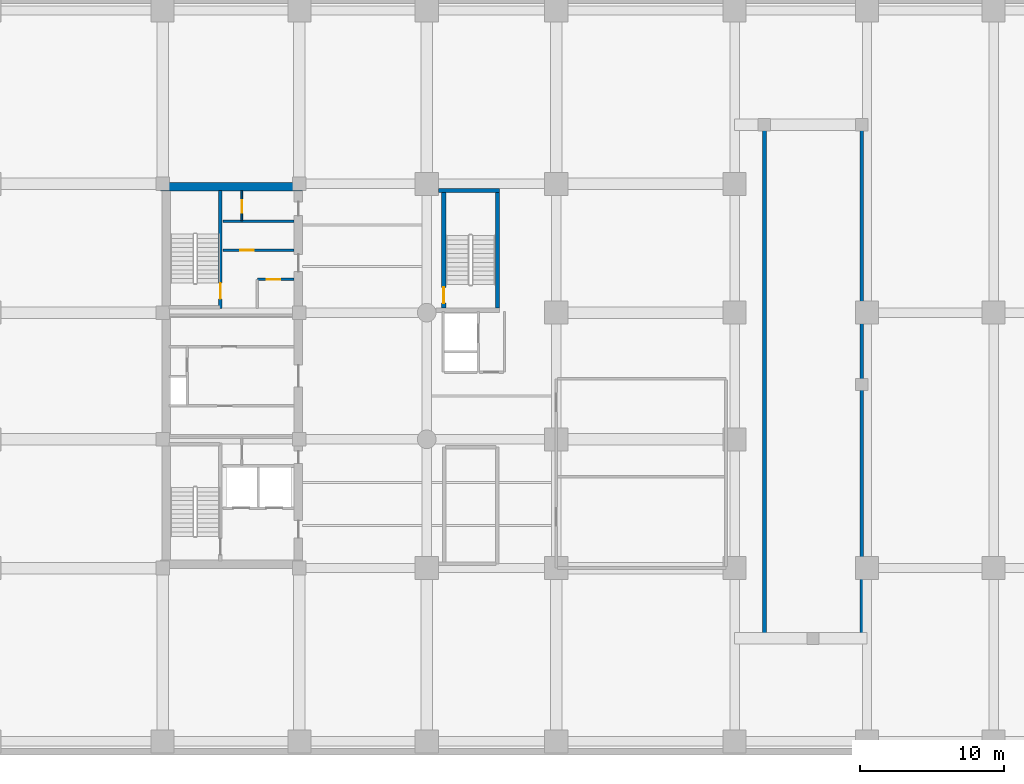
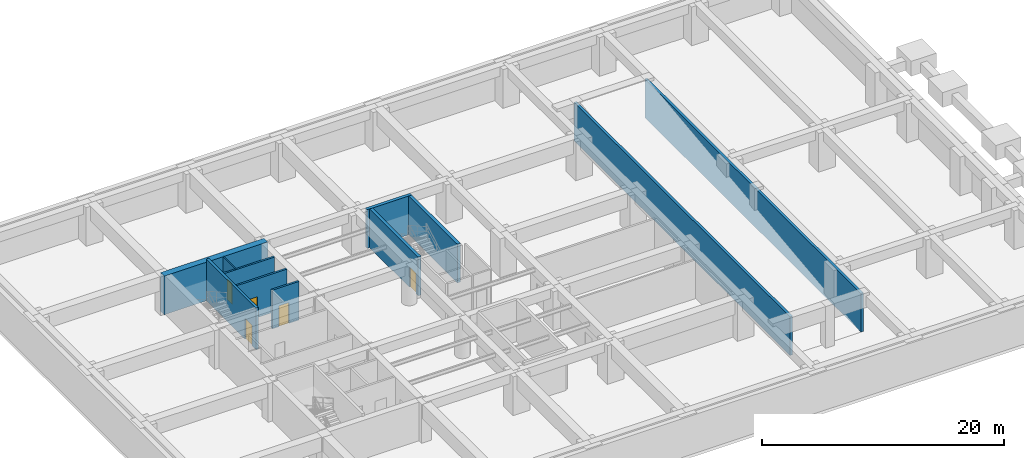
# One storey, part 5 of 7: 11 walls, 5 doors, 5 openings.
"""IFC4 building model written with IfcOpenShell, lengths in metres."""

from ifc_helpers import new_model, si_unit, direction, frame, frame_2d, origin, place, context, subcontext, project, spatial, rectangle, extrude, material, layer, layer_set, type_object, element, fill, save


model = new_model("IFC4")

# Units and contexts
model_context = context("Model", 3, precision=1e-05, world=origin(), true_north=direction((0.0, 1.0)))
body_context = subcontext(model_context, "Body", "Model", "MODEL_VIEW")
ifc_project = project(units=[si_unit("LENGTHUNIT", "METRE"), si_unit("AREAUNIT", "SQUARE_METRE"), si_unit("VOLUMEUNIT", "CUBIC_METRE"), si_unit("PLANEANGLEUNIT", "RADIAN"), si_unit("MASSUNIT", "GRAM", prefix="KILO")], contexts=[model_context])

# Site, building, storey
site_placement = place(None, origin())
site = spatial("IfcSite", under=ifc_project, at=site_placement, CompositionType="ELEMENT")
building_placement = place(site_placement, origin())
building = spatial("IfcBuilding", under=site, at=building_placement, Name="Kundavana Baori Tower", CompositionType="ELEMENT")
storey_placement = place(building_placement, frame((0.0, 0.0, -4.199951171875)))
storey = spatial("IfcBuildingStorey", under=building, at=storey_placement, Name="B01", CompositionType="ELEMENT", Elevation=-4.199951171875)

# Wall, opening, door
ifc_material_1 = material(Name="Concrete C50/60", Category="concrete")
ifc_layer_1 = layer(ifc_material_1, 0.39990234375, Name="WL-CORE-400")
ifc_layer_set_1 = layer_set([ifc_layer_1], Name="Concrete C50/60")
wall_type_1 = type_object("IfcWallType", Name="WL-CORE-400", PredefinedType="SHEAR", material=ifc_layer_set_1)
wall_1_placement = place(storey_placement, frame((19.4599609375, 33.300048828125, 0.0), z_axis=(0.0, 0.0, 1.0), x_axis=(0.0, 1.0, 0.0)))
wall_1 = element("IfcWall", 1, at=wall_1_placement, inside=storey, type_object=wall_type_1, Name="WL-B01-ST2-E", PredefinedType="SHEAR", context=body_context, shape_type="SweptSolid", body=[
    extrude(rectangle(XDim=8.179931640625, YDim=0.239990234375, at=frame_2d((4.08984375, 0.0))), origin(), (0.0, 0.0, 1.0), 4.199951171875),
])
opening_1_placement = place(wall_1_placement, frame((0.64990234375, 0.0, 0.0)))
opening_1 = element("IfcOpeningElement", 2, at=opening_1_placement, cuts=wall_1, Name="Opening FD-110", PredefinedType="OPENING", context=body_context, shape_type="SweptSolid", body=[
    extrude(rectangle(XDim=1.10009765625, YDim=2.10009765625, at=frame_2d((0.550048828125, 1.050048828125))), frame((0.0, 0.1298828125, 0.0), z_axis=(0.0, -1.0, 0.0), x_axis=(1.0, 0.0, 0.0)), (0.0, 0.0, 1.0), 0.260009765625),
])
ifc_material_2 = material(Name="Galvanised Steel Fire-Rated Door Leaf", Category="steel")
door_type_1 = type_object("IfcDoorType", Name="DR-FD120-1100", OperationType="NOTDEFINED", PredefinedType="DOOR", material=ifc_material_2)
door_1_placement = place(opening_1_placement, origin())
door_1 = element("IfcDoor", 3, at=door_1_placement, inside=storey, type_object=door_type_1, Name="DR-B01-ST2", OperationType="SINGLE_SWING_RIGHT", OverallHeight=2.10009765625, OverallWidth=1.10009765625, PredefinedType="DOOR", context=body_context, shape_type="SweptSolid", body=[
    extrude(rectangle(XDim=1.10009765625, YDim=2.10009765625, at=frame_2d((0.550048828125, 1.050048828125))), frame((0.0, 0.02490234375, 0.0), z_axis=(0.0, -1.0, 0.0), x_axis=(1.0, 0.0, 0.0)), (0.0, 0.0, 1.0), 0.050048828125),
])
fill(opening_1, door_1)

# Wall
ifc_material_3 = material(Name="Concrete C60/75", Category="concrete")
ifc_layer_2 = layer(ifc_material_3, 0.60009765625, Name="WL-CORE-600")
ifc_layer_set_2 = layer_set([ifc_layer_2], Name="Concrete C60/75")
wall_type_2 = type_object("IfcWallType", Name="WL-CORE-600", PredefinedType="SHEAR", material=ifc_layer_set_2)
wall_2_placement = place(storey_placement, frame((15.300048828125, 41.739990234375, 0.0), z_axis=(0.0, 0.0, 1.0), x_axis=(1.0, 0.0, 0.0)))
element("IfcWall", 4, at=wall_2_placement, inside=storey, type_object=wall_type_2, Name="B01 Offset Core North Shear Wall", PredefinedType="SHEAR", context=body_context, shape_type="SweptSolid", body=[
    extrude(rectangle(XDim=9.8798828125, YDim=0.60009765625, at=frame_2d((4.93994140625, 0.0))), origin(), (0.0, 0.0, 1.0), 3.89990234375),
])

# Wall, opening, door
ifc_material_4 = material(Name="Acoustic Gypsum Plasterboard on Galvanised Steel Studs", Category="steel")
ifc_layer_3 = layer(ifc_material_4, 0.1201171875, Name="WL-PART-120")
ifc_layer_set_3 = layer_set([ifc_layer_3], Name="Acoustic Gypsum Plasterboard on Galvanised Steel Studs")
wall_type_3 = type_object("IfcWallType", Name="WL-PART-120", PredefinedType="PARTITIONING", material=ifc_layer_set_3)
wall_3_placement = place(storey_placement, frame((20.949951171875, 39.39990234375, 0.0), z_axis=(0.0, 0.0, 1.0), x_axis=(0.0, 1.0, 0.0)))
wall_3 = element("IfcWall", 5, at=wall_3_placement, inside=storey, type_object=wall_type_3, Name="WL-B01-CSRV-D2", PredefinedType="PARTITIONING", context=body_context, shape_type="SweptSolid", body=[
    extrude(rectangle(XDim=2.080078125, YDim=0.1201171875, at=frame_2d((1.0400390625, 0.0))), origin(), (0.0, 0.0, 1.0), 3.89990234375),
])
opening_2_placement = place(wall_3_placement, frame((0.550048828125, 0.0, 0.0)))
opening_2 = element("IfcOpeningElement", 6, at=opening_2_placement, cuts=wall_3, Name="Opening FD-085", PredefinedType="OPENING", context=body_context, shape_type="SweptSolid", body=[
    extrude(rectangle(XDim=0.85009765625, YDim=2.06005859375, at=frame_2d((0.425048828125, 1.030029296875))), frame((0.0, 0.070068359375, 0.0), z_axis=(0.0, -1.0, 0.0), x_axis=(1.0, 0.0, 0.0)), (0.0, 0.0, 1.0), 0.14013671875),
])
ifc_material_5 = material(Name="Galvanised Steel Fire-Rated Door Leaf", Category="steel")
door_type_2 = type_object("IfcDoorType", Name="DR-FD60-850", OperationType="NOTDEFINED", PredefinedType="DOOR", material=ifc_material_5)
door_2_placement = place(opening_2_placement, origin())
door_2 = element("IfcDoor", 7, at=door_2_placement, inside=storey, type_object=door_type_2, Name="DR-B01-CSRV1", OperationType="SINGLE_SWING_RIGHT", OverallHeight=2.06005859375, OverallWidth=0.85009765625, PredefinedType="DOOR", context=body_context, shape_type="SweptSolid", body=[
    extrude(rectangle(XDim=0.85009765625, YDim=2.06005859375, at=frame_2d((0.425048828125, 1.030029296875))), frame((0.0, 0.02490234375, 0.0), z_axis=(0.0, -1.0, 0.0), x_axis=(1.0, 0.0, 0.0)), (0.0, 0.0, 1.0), 0.050048828125),
])
fill(opening_2, door_2)

# Walls
ifc_material_6 = material(Name="Concrete C40/50", Category="concrete")
ifc_layer_4 = layer(ifc_material_6, 0.25, Name="WL-RMP-250")
ifc_layer_set_4 = layer_set([ifc_layer_4], Name="Concrete C40/50")
wall_type_4 = type_object("IfcWallType", Name="WL-RMP-250", PredefinedType="SHEAR", material=ifc_layer_set_4)
for number, where, z_axis, x_axis, name in (
    (8, (57.27490234375, 10.5, 0.0), (0.0, 0.0, 1.0), (0.0, 1.0, 0.0), "B01 Vehicle Ramp West Shaft Wall"),
    (9, (64.02490234375, 10.5, 0.0), (0.0, 0.0, 1.0), (0.0, 1.0, 0.0), "B01 Vehicle Ramp East Shaft Wall"),
):
    element("IfcWall", number, at=place(storey_placement, frame(where, z_axis=z_axis, x_axis=x_axis)), inside=storey, type_object=wall_type_4, Name=name, PredefinedType="SHEAR", context=body_context, shape_type="SweptSolid", body=[
        extrude(rectangle(XDim=35.699951171875, YDim=0.25, at=frame_2d((17.85009765625, 0.0))), origin(), (0.0, 0.0, 1.0), 3.89990234375),
    ])

# Wall, opening, door
ifc_material_7 = material(Name="Autoclaved Aerated Concrete Blockwork Masonry", Category="masonry")
ifc_layer_5 = layer(ifc_material_7, 0.179931640625, Name="WL-SHAFT-180")
ifc_layer_set_5 = layer_set([ifc_layer_5], Name="Autoclaved Aerated Concrete Blockwork Masonry")
wall_type_5 = type_object("IfcWallType", Name="WL-SHAFT-180", PredefinedType="SOLIDWALL", material=ifc_layer_set_5)
wall_4_placement = place(storey_placement, frame((22.02001953125, 35.31005859375, 0.0), z_axis=(0.0, 0.0, 1.0), x_axis=(1.0, 0.0, 0.0)))
wall_4 = element("IfcWall", 10, at=wall_4_placement, inside=storey, type_object=wall_type_5, Name="WL-B01-LP11-N", PredefinedType="SOLIDWALL", context=body_context, shape_type="SweptSolid", body=[
    extrude(rectangle(XDim=2.56005859375, YDim=0.179931640625, at=frame_2d((1.280029296875, 0.0))), origin(), (0.0, 0.0, 1.0), 3.89990234375),
])
opening_3_placement = place(wall_4_placement, frame((0.64990234375, 0.0, 0.0)))
opening_3 = element("IfcOpeningElement", 11, at=opening_3_placement, cuts=wall_4, Name="Opening FD-095", PredefinedType="OPENING", context=body_context, shape_type="SweptSolid", body=[
    extrude(rectangle(XDim=0.949951171875, YDim=2.10009765625, at=frame_2d((0.47509765625, 1.050048828125))), frame((0.0, 0.10009765625, 0.0), z_axis=(0.0, -1.0, 0.0), x_axis=(1.0, 0.0, 0.0)), (0.0, 0.0, 1.0), 0.199951171875),
])
ifc_material_8 = material(Name="Engineered Teak Fire-Rated Timber Door Leaf", Category="wood")
door_type_3 = type_object("IfcDoorType", Name="DR-FD60-950", OperationType="NOTDEFINED", PredefinedType="DOOR", material=ifc_material_8)
door_3_placement = place(opening_3_placement, origin())
door_3 = element("IfcDoor", 12, at=door_3_placement, inside=storey, type_object=door_type_3, Name="DR-B01-BSMTHR2", OperationType="SINGLE_SWING_RIGHT", OverallHeight=2.10009765625, OverallWidth=0.949951171875, PredefinedType="DOOR", context=body_context, shape_type="SweptSolid", body=[
    extrude(rectangle(XDim=0.949951171875, YDim=2.10009765625, at=frame_2d((0.47509765625, 1.050048828125))), frame((0.0, 0.02490234375, 0.0), z_axis=(0.0, -1.0, 0.0), x_axis=(1.0, 0.0, 0.0)), (0.0, 0.0, 1.0), 0.050048828125),
])
fill(opening_3, door_3)

wall_5_placement = place(storey_placement, frame((19.639892578125, 37.340087890625, 0.0), z_axis=(0.0, 0.0, 1.0), x_axis=(1.0, 0.0, 0.0)))
wall_5 = element("IfcWall", 13, at=wall_5_placement, inside=storey, type_object=wall_type_5, Name="WL-B01-HRLOB-N", PredefinedType="SOLIDWALL", context=body_context, shape_type="SweptSolid", body=[
    extrude(rectangle(XDim=4.940185546875, YDim=0.179931640625, at=frame_2d((2.47021484375, 0.0))), origin(), (0.0, 0.0, 1.0), 3.89990234375),
])
opening_4_placement = place(wall_5_placement, frame((1.199951171875, 0.0, 0.0)))
opening_4 = element("IfcOpeningElement", 14, at=opening_4_placement, cuts=wall_5, Name="Opening FD-095", PredefinedType="OPENING", context=body_context, shape_type="SweptSolid", body=[
    extrude(rectangle(XDim=0.949951171875, YDim=2.10009765625, at=frame_2d((0.47509765625, 1.050048828125))), frame((0.0, 0.10009765625, 0.0), z_axis=(0.0, -1.0, 0.0), x_axis=(1.0, 0.0, 0.0)), (0.0, 0.0, 1.0), 0.199951171875),
])
door_4_placement = place(opening_4_placement, frame((0.949951171875, 0.0, 0.0), z_axis=(0.0, 0.0, 1.0), x_axis=(-1.0, 0.0, 0.0)))
door_4 = element("IfcDoor", 15, at=door_4_placement, inside=storey, type_object=door_type_3, Name="DR-B01-BSMTHR1", OperationType="SINGLE_SWING_LEFT", OverallHeight=2.10009765625, OverallWidth=0.949951171875, PredefinedType="DOOR", context=body_context, shape_type="SweptSolid", body=[
    extrude(rectangle(XDim=0.949951171875, YDim=2.10009765625, at=frame_2d((0.47509765625, 1.050048828125))), frame((0.0, 0.02490234375, 0.0), z_axis=(0.0, -1.0, 0.0), x_axis=(1.0, 0.0, 0.0)), (0.0, 0.0, 1.0), 0.050048828125),
])
fill(opening_4, door_4)

# Walls
wall_6_placement = place(storey_placement, frame((19.639892578125, 39.360107421875, 0.0), z_axis=(0.0, 0.0, 1.0), x_axis=(1.0, 0.0, 0.0)))
element("IfcWall", 16, at=wall_6_placement, inside=storey, type_object=wall_type_5, Name="WL-B01-HRLOB-TOP", PredefinedType="SOLIDWALL", context=body_context, shape_type="SweptSolid", body=[
    extrude(rectangle(XDim=4.940185546875, YDim=0.179931640625, at=frame_2d((2.47021484375, 0.0))), origin(), (0.0, 0.0, 1.0), 3.89990234375),
])
ifc_material_9 = material(Name="Concrete C50/60", Category="concrete")
ifc_layer_6 = layer(ifc_material_9, 0.300048828125, Name="WL-ST3-300")
ifc_layer_set_6 = layer_set([ifc_layer_6], Name="Concrete C50/60")
wall_type_6 = type_object("IfcWallType", Name="WL-ST3-300", PredefinedType="SHEAR", material=ifc_layer_set_6)
wall_7_placement = place(storey_placement, frame((34.60009765625, 41.489990234375, 0.0), z_axis=(0.0, 0.0, 1.0), x_axis=(1.0, 0.0, 0.0)))
element("IfcWall", 17, at=wall_7_placement, inside=storey, type_object=wall_type_6, Name="B01 Stair ST3 North Shear Wall", PredefinedType="SHEAR", context=body_context, shape_type="SweptSolid", body=[
    extrude(rectangle(XDim=4.27001953125, YDim=0.300048828125, at=frame_2d((2.135009765625, 0.0))), origin(), (0.0, 0.0, 1.0), 3.89990234375),
])

# Wall, opening, door
wall_8_placement = place(storey_placement, frame((34.97998046875, 33.31005859375, 0.0), z_axis=(0.0, 0.0, 1.0), x_axis=(0.0, 1.0, 0.0)))
wall_8 = element("IfcWall", 18, at=wall_8_placement, inside=storey, type_object=wall_type_6, Name="B01 Stair ST3 West Shear Wall", PredefinedType="SHEAR", context=body_context, shape_type="SweptSolid", body=[
    extrude(rectangle(XDim=8.030029296875, YDim=0.300048828125, at=frame_2d((4.01513671875, 0.0))), origin(), (0.0, 0.0, 1.0), 3.89990234375),
])
opening_5_placement = place(wall_8_placement, frame((0.35009765625, 0.0, 0.0)))
opening_5 = element("IfcOpeningElement", 19, at=opening_5_placement, cuts=wall_8, Name="Opening FD-110", PredefinedType="OPENING", context=body_context, shape_type="SweptSolid", body=[
    extrude(rectangle(XDim=1.10009765625, YDim=2.10009765625, at=frame_2d((0.550048828125, 1.050048828125))), frame((0.0, 0.16015625, 0.0), z_axis=(0.0, -1.0, 0.0), x_axis=(1.0, 0.0, 0.0)), (0.0, 0.0, 1.0), 0.320068359375),
])
door_5_placement = place(opening_5_placement, origin())
door_5 = element("IfcDoor", 20, at=door_5_placement, inside=storey, type_object=door_type_1, Name="DR-B01-ST3-W", OperationType="SINGLE_SWING_LEFT", OverallHeight=2.10009765625, OverallWidth=1.10009765625, PredefinedType="DOOR", context=body_context, shape_type="SweptSolid", body=[
    extrude(rectangle(XDim=1.10009765625, YDim=2.10009765625, at=frame_2d((0.550048828125, 1.050048828125))), frame((0.0, 0.02490234375, 0.0), z_axis=(0.0, -1.0, 0.0), x_axis=(1.0, 0.0, 0.0)), (0.0, 0.0, 1.0), 0.050048828125),
])
fill(opening_5, door_5)

# Wall
wall_9_placement = place(storey_placement, frame((38.719970703125, 33.31005859375, 0.0), z_axis=(0.0, 0.0, 1.0), x_axis=(0.0, 1.0, 0.0)))
element("IfcWall", 21, at=wall_9_placement, inside=storey, type_object=wall_type_6, Name="B01 Stair ST3 East Shear Wall", PredefinedType="SHEAR", context=body_context, shape_type="SweptSolid", body=[
    extrude(rectangle(XDim=8.030029296875, YDim=0.300048828125, at=frame_2d((4.01513671875, 0.0))), origin(), (0.0, 0.0, 1.0), 3.89990234375),
])

save(model, "model.ifc")
